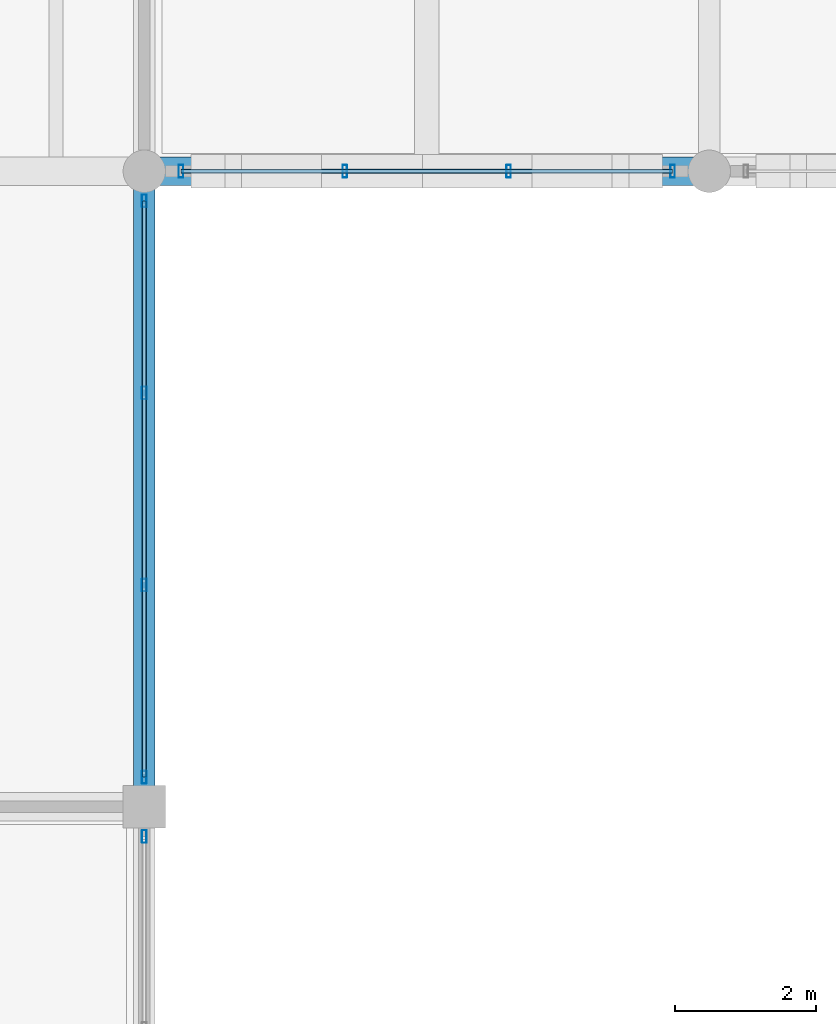
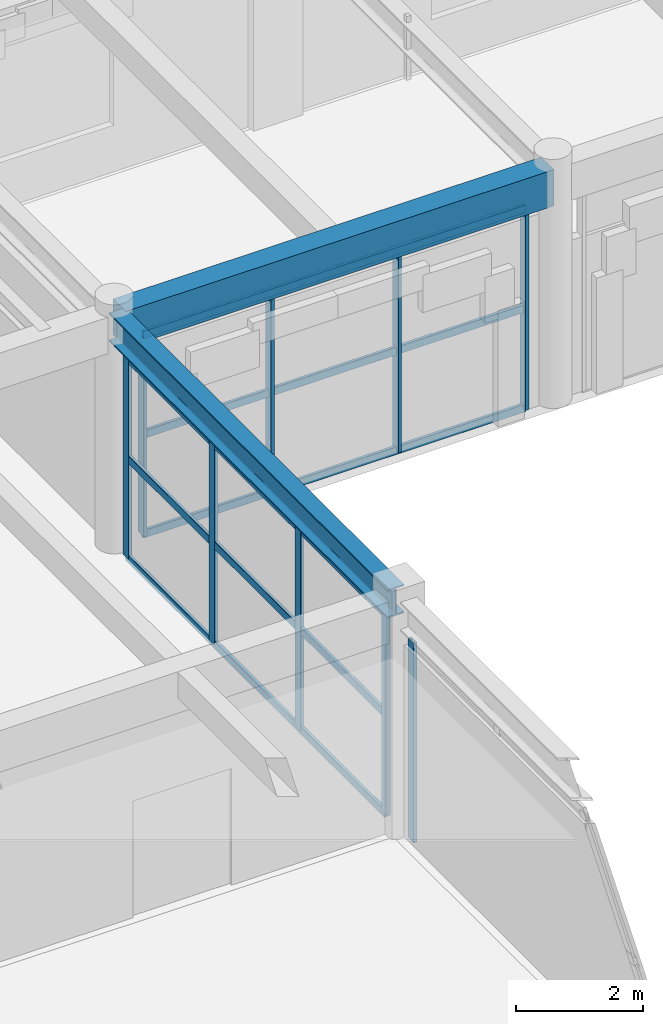
# One storey, part 49 of 144: 15 members, 2 beams, 3 elements without a shape of their own.
"""IFC4 building model written with IfcOpenShell, lengths in metres."""

from ifc_helpers import new_model, si_unit, direction, frame, origin, origin_2d, place, context, subcontext, project, spatial, rectangle, hollow_rectangle, i_section, extrude, material, material_profile, profile_set, type_object, element, aggregate, save


model = new_model("IFC4")

# Units and contexts
model_context = context("Model", 3, precision=1e-05, world=origin(), true_north=direction((0.0, 1.0)))
body_context = subcontext(model_context, "Body", "Model", "MODEL_VIEW")
ifc_project = project(units=[si_unit("LENGTHUNIT", "METRE"), si_unit("AREAUNIT", "SQUARE_METRE"), si_unit("VOLUMEUNIT", "CUBIC_METRE"), si_unit("PLANEANGLEUNIT", "RADIAN"), si_unit("MASSUNIT", "GRAM", prefix="KILO")], contexts=[model_context])

# Site, building, storey
site_placement = place(None, origin())
site = spatial("IfcSite", under=ifc_project, at=site_placement, CompositionType="ELEMENT")
building_placement = place(site_placement, origin())
building = spatial("IfcBuilding", under=site, at=building_placement, Name="Varnabhumi Central Station", CompositionType="ELEMENT")
storey_placement = place(building_placement, frame((0.0, 0.0, 4.800048828125)))
storey = spatial("IfcBuildingStorey", under=building, at=storey_placement, Name="L01", CompositionType="ELEMENT", Elevation=4.800048828125)

# Beams
ifc_material_1 = material(Name="Concrete M40", Category="concrete")
ifc_material_profile_1 = material_profile(ifc_material_1, rectangle(XDim=0.39990234375, YDim=0.699951171875, at=origin_2d()), Name="Concrete M40", Category="concrete")
ifc_profile_set_1 = profile_set([ifc_material_profile_1], Name="Concrete M40")
beam_type_1 = type_object("IfcBeamType", Name="BM-RC-400x700", PredefinedType="BEAM", material=ifc_profile_set_1)
beam_1_placement = place(storey_placement, frame((48.10009765625, 107.0, 4.199951171875), z_axis=(1.0, 0.0, 0.0), x_axis=(0.0, 1.0, 0.0)))
element("IfcBeam", 1, at=beam_1_placement, inside=storey, type_object=beam_type_1, Name="Beam L01-N:7-8", PredefinedType="BEAM", context=body_context, shape_type="SweptSolid", body=[
    extrude(rectangle(XDim=0.39990234375, YDim=0.699951171875, at=origin_2d()), origin(), (0.0, 0.0, 1.0), 7.7998046875),
])
ifc_material_2 = material(Name="Structural steel E350", Category="steel")
ifc_material_profile_2 = material_profile(ifc_material_2, i_section(OverallWidth=0.300048828125, OverallDepth=0.550048828125, WebThickness=0.014892578125, FlangeThickness=0.029052734375, FilletRadius=0.027099609375, at=origin_2d()), Name="Structural steel E350", Category="steel")
ifc_profile_set_2 = profile_set([ifc_material_profile_2], Name="Structural steel E350")
beam_type_2 = type_object("IfcBeamType", Name="BM-STL-WPB550", PredefinedType="BEAM", material=ifc_profile_set_2)
beam_2_placement = place(storey_placement, frame((48.0, 98.10009765625, 4.27490234375), z_axis=(0.0, 1.0, 0.0), x_axis=(-1.0, 0.0, 0.0)))
element("IfcBeam", 2, at=beam_2_placement, inside=storey, type_object=beam_type_2, Name="Beam L01-7:M-N", PredefinedType="BEAM", context=body_context, shape_type="SweptSolid", body=[
    extrude(i_section(OverallWidth=0.300048828125, OverallDepth=0.550048828125, WebThickness=0.014892578125, FlangeThickness=0.029052734375, FilletRadius=0.027099609375, at=origin_2d()), origin(), (0.0, 0.0, 1.0), 8.7998046875),
])

# Curtain wall, member
ifc_material_3 = material(Name="Anodised aluminium 6063-T6", Category="aluminium")
curtain_wall_type = type_object("IfcCurtainWallType", Name="CW-PATIO-LOGGIA-L1", PredefinedType="NOTDEFINED", material=ifc_material_3)
curtain_wall_1_placement = place(storey_placement, origin())
curtain_wall_1 = element("IfcCurtainWall", 3, at=curtain_wall_1_placement, inside=storey, type_object=curtain_wall_type, Name="Curtain Wall CW-NP1E1", PredefinedType="NOTDEFINED")
ifc_material_profile_3 = material_profile(ifc_material_3, hollow_rectangle(XDim=0.06494140625, YDim=0.179931640625, WallThickness=0.00390625, InnerFilletRadius=0.001953125, OuterFilletRadius=0.006103515625, at=origin_2d()), Name="Anodised aluminium 6063-T6", Category="aluminium")
ifc_profile_set_3 = profile_set([ifc_material_profile_3], Name="Anodised aluminium 6063-T6")
member_type_1 = type_object("IfcMemberType", Name="CW-MUL-180", PredefinedType="MULLION", material=ifc_profile_set_3)
member_1_placement = place(storey_placement, frame((48.0, 97.580078125, 0.0), z_axis=(0.0, 0.0, 1.0), x_axis=(1.0, 0.0, 0.0)))
member_1 = element("IfcMember", 4, at=member_1_placement, type_object=member_type_1, Name="Curtain Wall Mullion CW-NP1E1-M4", PredefinedType="MULLION", context=body_context, shape_type="SweptSolid", body=[
    extrude(hollow_rectangle(XDim=0.06494140625, YDim=0.179931640625, WallThickness=0.00390625, InnerFilletRadius=0.001953125, OuterFilletRadius=0.006103515625, at=origin_2d()), origin(), (0.0, 0.0, 1.0), 3.83984375),
])
aggregate(curtain_wall_1, [member_1])

# Curtain wall, members
curtain_wall_2_placement = place(storey_placement, origin())
curtain_wall_2 = element("IfcCurtainWall", 5, at=curtain_wall_2_placement, inside=storey, type_object=curtain_wall_type, Name="Curtain Wall CW-NP1E2", PredefinedType="NOTDEFINED")
member_2_placement = place(storey_placement, frame((48.0, 98.419921875, 0.0), z_axis=(0.0, 0.0, 1.0), x_axis=(1.0, 0.0, 0.0)))
member_2 = element("IfcMember", 6, at=member_2_placement, type_object=member_type_1, Name="Curtain Wall Mullion CW-NP1E2-M1", PredefinedType="MULLION", context=body_context, shape_type="SweptSolid", body=[
    extrude(hollow_rectangle(XDim=0.06494140625, YDim=0.179931640625, WallThickness=0.00390625, InnerFilletRadius=0.001953125, OuterFilletRadius=0.006103515625, at=origin_2d()), origin(), (0.0, 0.0, 1.0), 3.83984375),
])
member_3_placement = place(storey_placement, frame((48.0, 101.139892578125, 0.0), z_axis=(0.0, 0.0, 1.0), x_axis=(1.0, 0.0, 0.0)))
member_3 = element("IfcMember", 7, at=member_3_placement, type_object=member_type_1, Name="Curtain Wall Mullion CW-NP1E2-M2", PredefinedType="MULLION", context=body_context, shape_type="SweptSolid", body=[
    extrude(hollow_rectangle(XDim=0.06494140625, YDim=0.179931640625, WallThickness=0.00390625, InnerFilletRadius=0.001953125, OuterFilletRadius=0.006103515625, at=origin_2d()), origin(), (0.0, 0.0, 1.0), 3.83984375),
])
member_4_placement = place(storey_placement, frame((48.0, 103.860107421875, 0.0), z_axis=(0.0, 0.0, 1.0), x_axis=(1.0, 0.0, 0.0)))
member_4 = element("IfcMember", 8, at=member_4_placement, type_object=member_type_1, Name="Curtain Wall Mullion CW-NP1E2-M3", PredefinedType="MULLION", context=body_context, shape_type="SweptSolid", body=[
    extrude(hollow_rectangle(XDim=0.06494140625, YDim=0.179931640625, WallThickness=0.00390625, InnerFilletRadius=0.001953125, OuterFilletRadius=0.006103515625, at=origin_2d()), origin(), (0.0, 0.0, 1.0), 3.83984375),
])
member_5_placement = place(storey_placement, frame((48.0, 106.580078125, 0.0), z_axis=(0.0, 0.0, 1.0), x_axis=(1.0, 0.0, 0.0)))
member_5 = element("IfcMember", 9, at=member_5_placement, type_object=member_type_1, Name="Curtain Wall Mullion CW-NP1E2-M4", PredefinedType="MULLION", context=body_context, shape_type="SweptSolid", body=[
    extrude(hollow_rectangle(XDim=0.06494140625, YDim=0.179931640625, WallThickness=0.00390625, InnerFilletRadius=0.001953125, OuterFilletRadius=0.006103515625, at=origin_2d()), origin(), (0.0, 0.0, 1.0), 3.83984375),
])

curtain_wall_3_placement = place(storey_placement, origin())
curtain_wall_3 = element("IfcCurtainWall", 10, at=curtain_wall_3_placement, inside=storey, type_object=curtain_wall_type, Name="Curtain Wall CW-NP1N1", PredefinedType="NOTDEFINED")
member_6_placement = place(storey_placement, frame((48.52001953125, 107.0, 0.0), z_axis=(0.0, 0.0, 1.0), x_axis=(1.0, 0.0, 0.0)))
member_6 = element("IfcMember", 11, at=member_6_placement, type_object=member_type_1, Name="Curtain Wall Mullion CW-NP1N1-M1", PredefinedType="MULLION", context=body_context, shape_type="SweptSolid", body=[
    extrude(hollow_rectangle(XDim=0.06494140625, YDim=0.179931640625, WallThickness=0.00390625, InnerFilletRadius=0.001953125, OuterFilletRadius=0.006103515625, at=origin_2d()), origin(), (0.0, 0.0, 1.0), 3.83984375),
])
member_7_placement = place(storey_placement, frame((50.840087890625, 107.0, 0.0), z_axis=(0.0, 0.0, 1.0), x_axis=(1.0, 0.0, 0.0)))
member_7 = element("IfcMember", 12, at=member_7_placement, type_object=member_type_1, Name="Curtain Wall Mullion CW-NP1N1-M2", PredefinedType="MULLION", context=body_context, shape_type="SweptSolid", body=[
    extrude(hollow_rectangle(XDim=0.06494140625, YDim=0.179931640625, WallThickness=0.00390625, InnerFilletRadius=0.001953125, OuterFilletRadius=0.006103515625, at=origin_2d()), origin(), (0.0, 0.0, 1.0), 3.83984375),
])
member_8_placement = place(storey_placement, frame((53.159912109375, 107.0, 0.0), z_axis=(0.0, 0.0, 1.0), x_axis=(1.0, 0.0, 0.0)))
member_8 = element("IfcMember", 13, at=member_8_placement, type_object=member_type_1, Name="Curtain Wall Mullion CW-NP1N1-M3", PredefinedType="MULLION", context=body_context, shape_type="SweptSolid", body=[
    extrude(hollow_rectangle(XDim=0.06494140625, YDim=0.179931640625, WallThickness=0.00390625, InnerFilletRadius=0.001953125, OuterFilletRadius=0.006103515625, at=origin_2d()), origin(), (0.0, 0.0, 1.0), 3.83984375),
])
member_9_placement = place(storey_placement, frame((55.47998046875, 107.0, 0.0), z_axis=(0.0, 0.0, 1.0), x_axis=(1.0, 0.0, 0.0)))
member_9 = element("IfcMember", 14, at=member_9_placement, type_object=member_type_1, Name="Curtain Wall Mullion CW-NP1N1-M4", PredefinedType="MULLION", context=body_context, shape_type="SweptSolid", body=[
    extrude(hollow_rectangle(XDim=0.06494140625, YDim=0.179931640625, WallThickness=0.00390625, InnerFilletRadius=0.001953125, OuterFilletRadius=0.006103515625, at=origin_2d()), origin(), (0.0, 0.0, 1.0), 3.83984375),
])

# Member
ifc_material_profile_4 = material_profile(ifc_material_3, hollow_rectangle(XDim=0.06005859375, YDim=0.14990234375, WallThickness=0.00390625, InnerFilletRadius=0.001953125, OuterFilletRadius=0.006103515625, at=origin_2d()), Name="Anodised aluminium 6063-T6", Category="aluminium")
ifc_profile_set_4 = profile_set([ifc_material_profile_4], Name="Anodised aluminium 6063-T6")
member_type_2 = type_object("IfcMemberType", Name="CW-TR-150", PredefinedType="USERDEFINED", material=ifc_profile_set_4)
member_10_placement = place(storey_placement, frame((48.0, 98.419921875, 0.0), z_axis=(0.0, 1.0, 0.0), x_axis=(-1.0, 0.0, 0.0)))
member_10 = element("IfcMember", 15, at=member_10_placement, type_object=member_type_2, Name="Curtain Wall Transom CW-NP1E2-T1", ObjectType="TRANSOM", PredefinedType="USERDEFINED", context=body_context, shape_type="SweptSolid", body=[
    extrude(hollow_rectangle(XDim=0.06005859375, YDim=0.14990234375, WallThickness=0.00390625, InnerFilletRadius=0.001953125, OuterFilletRadius=0.006103515625, at=origin_2d()), origin(), (0.0, 0.0, 1.0), 8.16015625),
])

member_11_placement = place(storey_placement, frame((48.0, 98.419921875, 1.919921875), z_axis=(0.0, 1.0, 0.0), x_axis=(-1.0, 0.0, 0.0)))
member_11 = element("IfcMember", 16, at=member_11_placement, type_object=member_type_2, Name="Curtain Wall Transom CW-NP1E2-T2", ObjectType="TRANSOM", PredefinedType="USERDEFINED", context=body_context, shape_type="SweptSolid", body=[
    extrude(hollow_rectangle(XDim=0.06005859375, YDim=0.14990234375, WallThickness=0.00390625, InnerFilletRadius=0.001953125, OuterFilletRadius=0.006103515625, at=origin_2d()), origin(), (0.0, 0.0, 1.0), 8.16015625),
])

member_12_placement = place(storey_placement, frame((48.0, 98.419921875, 3.83984375), z_axis=(0.0, 1.0, 0.0), x_axis=(-1.0, 0.0, 0.0)))
member_12 = element("IfcMember", 17, at=member_12_placement, type_object=member_type_2, Name="Curtain Wall Transom CW-NP1E2-T3", ObjectType="TRANSOM", PredefinedType="USERDEFINED", context=body_context, shape_type="SweptSolid", body=[
    extrude(hollow_rectangle(XDim=0.06005859375, YDim=0.14990234375, WallThickness=0.00390625, InnerFilletRadius=0.001953125, OuterFilletRadius=0.006103515625, at=origin_2d()), origin(), (0.0, 0.0, 1.0), 8.16015625),
])

aggregate(curtain_wall_2, [member_2, member_3, member_4, member_5, member_10, member_11, member_12])

member_13_placement = place(storey_placement, frame((48.52001953125, 107.0, 0.0), z_axis=(1.0, 0.0, 0.0), x_axis=(0.0, 1.0, 0.0)))
member_13 = element("IfcMember", 18, at=member_13_placement, type_object=member_type_2, Name="Curtain Wall Transom CW-NP1N1-T1", ObjectType="TRANSOM", PredefinedType="USERDEFINED", context=body_context, shape_type="SweptSolid", body=[
    extrude(hollow_rectangle(XDim=0.06005859375, YDim=0.14990234375, WallThickness=0.00390625, InnerFilletRadius=0.001953125, OuterFilletRadius=0.006103515625, at=origin_2d()), origin(), (0.0, 0.0, 1.0), 6.9599609375),
])

member_14_placement = place(storey_placement, frame((48.52001953125, 107.0, 1.919921875), z_axis=(1.0, 0.0, 0.0), x_axis=(0.0, 1.0, 0.0)))
member_14 = element("IfcMember", 19, at=member_14_placement, type_object=member_type_2, Name="Curtain Wall Transom CW-NP1N1-T2", ObjectType="TRANSOM", PredefinedType="USERDEFINED", context=body_context, shape_type="SweptSolid", body=[
    extrude(hollow_rectangle(XDim=0.06005859375, YDim=0.14990234375, WallThickness=0.00390625, InnerFilletRadius=0.001953125, OuterFilletRadius=0.006103515625, at=origin_2d()), origin(), (0.0, 0.0, 1.0), 6.9599609375),
])

member_15_placement = place(storey_placement, frame((48.52001953125, 107.0, 3.83984375), z_axis=(1.0, 0.0, 0.0), x_axis=(0.0, 1.0, 0.0)))
member_15 = element("IfcMember", 20, at=member_15_placement, type_object=member_type_2, Name="Curtain Wall Transom CW-NP1N1-T3", ObjectType="TRANSOM", PredefinedType="USERDEFINED", context=body_context, shape_type="SweptSolid", body=[
    extrude(hollow_rectangle(XDim=0.06005859375, YDim=0.14990234375, WallThickness=0.00390625, InnerFilletRadius=0.001953125, OuterFilletRadius=0.006103515625, at=origin_2d()), origin(), (0.0, 0.0, 1.0), 6.9599609375),
])

aggregate(curtain_wall_3, [member_6, member_7, member_8, member_9, member_13, member_14, member_15])

save(model, "model.ifc")
